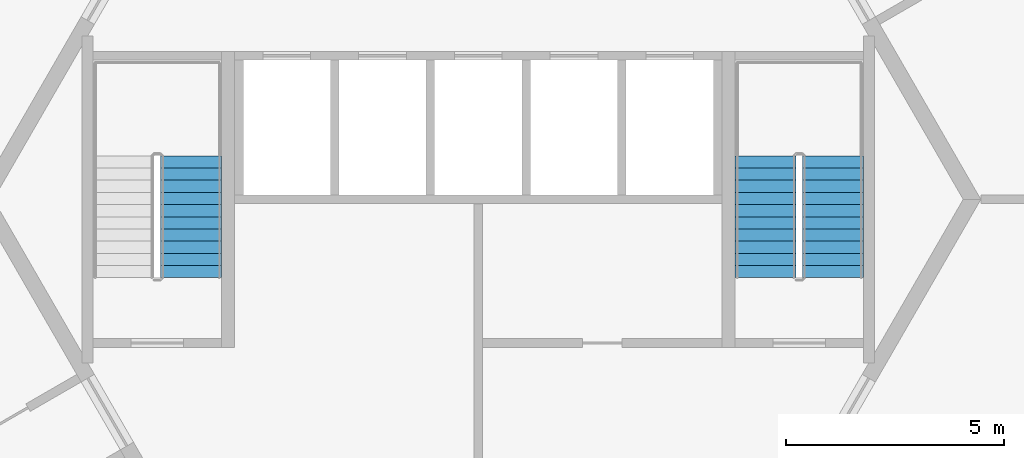
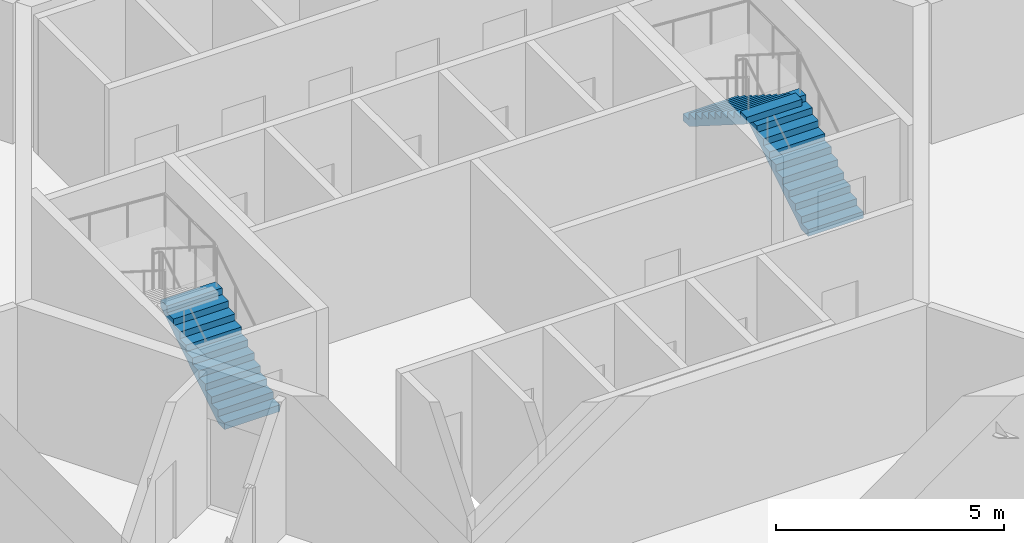
# One storey, part 11 of 12: 3 stair flights, 2 elements without a shape of their own.
"""IFC4 building model written with IfcOpenShell, lengths in metres."""

from ifc_helpers import new_model, si_unit, direction, frame, origin, place, context, subcontext, project, spatial, polyline, outline, extrude, material, type_object, element, aggregate, save


model = new_model("IFC4")

# Units and contexts
model_context = context("Model", 3, precision=1e-05, world=origin(), true_north=direction((0.0, 1.0)))
body_context = subcontext(model_context, "Body", "Model", "MODEL_VIEW")
ifc_project = project(units=[si_unit("LENGTHUNIT", "METRE"), si_unit("AREAUNIT", "SQUARE_METRE"), si_unit("VOLUMEUNIT", "CUBIC_METRE"), si_unit("PLANEANGLEUNIT", "RADIAN"), si_unit("MASSUNIT", "GRAM", prefix="KILO")], contexts=[model_context])

# Site, building, storey
site_placement = place(None, origin())
site = spatial("IfcSite", under=ifc_project, at=site_placement, CompositionType="ELEMENT")
building_placement = place(site_placement, origin())
building = spatial("IfcBuilding", under=site, at=building_placement, Name="Tarnside Tower", CompositionType="ELEMENT")
storey_placement = place(building_placement, frame((0.0, 0.0, 57.0)))
storey = spatial("IfcBuildingStorey", under=building, at=storey_placement, Name="L11", CompositionType="ELEMENT", Elevation=57.0)

# Stair, stair flights
ifc_material = material(Name="Concrete C40/50", Category="concrete")
stair_type = type_object("IfcStairType", Name="Exit stair 1400 clear", PredefinedType="HALF_TURN_STAIR", material=ifc_material)
stair_1_placement = place(storey_placement, origin())
stair_1 = element("IfcStair", 1, at=stair_1_placement, inside=storey, type_object=stair_type, Name="L11 Exit stair 1", PredefinedType="HALF_TURN_STAIR")
stair_flight_type = type_object("IfcStairFlightType", Name="Exit stair flight 1400", PredefinedType="STRAIGHT", material=ifc_material)
stair_flight_1_placement = place(storey_placement, frame((8.14990234375, -1.800048828125, 0.0), z_axis=(0.0, 0.0, 1.0), x_axis=(0.0, 1.0, 0.0)))
stair_flight_1 = element("IfcStairFlight", 2, at=stair_flight_1_placement, type_object=stair_flight_type, Name="ST1 flight 1", NumberOfRisers=11, NumberOfTreads=10, PredefinedType="STRAIGHT", RiserHeight=0.177272727, TreadLength=0.28, context=body_context, shape_type="SweptSolid", body=[
    extrude(outline(polyline([(0.0, 0.0), (0.0, 0.17724609375), (0.280029296875, 0.17724609375), (0.280029296875, 0.3544921875), (0.56005859375, 0.3544921875), (0.56005859375, 0.53173828125), (0.840087890625, 0.53173828125), (0.840087890625, 0.708984375), (1.1201171875, 0.708984375), (1.1201171875, 0.886474609375), (1.39990234375, 0.886474609375), (1.39990234375, 1.063720703125), (1.679931640625, 1.063720703125), (1.679931640625, 1.240966796875), (1.9599609375, 1.240966796875), (1.9599609375, 1.418212890625), (2.239990234375, 1.418212890625), (2.239990234375, 1.595458984375), (2.52001953125, 1.595458984375), (2.52001953125, 1.772705078125), (2.800048828125, 1.772705078125), (2.800048828125, 1.949951171875), (2.800048828125, 1.59521484375), (0.2802734375, 0.0), (0.0, 0.0)])), frame((0.0, 0.699951171875, 0.0), z_axis=(0.0, -1.0, 0.0), x_axis=(1.0, 0.0, 0.0)), (0.0, 0.0, 1.0), 1.39990234375),
])
stair_flight_2_placement = place(storey_placement, frame((6.60009765625, 1.0, 1.949951171875), z_axis=(0.0, 0.0, 1.0), x_axis=(0.0, -1.0, 0.0)))
stair_flight_2 = element("IfcStairFlight", 3, at=stair_flight_2_placement, type_object=stair_flight_type, Name="ST1 flight 2", NumberOfRisers=11, NumberOfTreads=10, PredefinedType="STRAIGHT", RiserHeight=0.177272727, TreadLength=0.28, context=body_context, shape_type="SweptSolid", body=[
    extrude(outline(polyline([(0.0, 0.0), (0.0, 0.17724609375), (0.280029296875, 0.17724609375), (0.280029296875, 0.3544921875), (0.56005859375, 0.3544921875), (0.56005859375, 0.53173828125), (0.840087890625, 0.53173828125), (0.840087890625, 0.708984375), (1.1201171875, 0.708984375), (1.1201171875, 0.886474609375), (1.39990234375, 0.886474609375), (1.39990234375, 1.063720703125), (1.679931640625, 1.063720703125), (1.679931640625, 1.240966796875), (1.9599609375, 1.240966796875), (1.9599609375, 1.418212890625), (2.239990234375, 1.418212890625), (2.239990234375, 1.595458984375), (2.52001953125, 1.595458984375), (2.52001953125, 1.772705078125), (2.800048828125, 1.772705078125), (2.800048828125, 1.949951171875), (2.800048828125, 1.59521484375), (0.2802734375, 0.0), (0.0, 0.0)])), frame((0.0, 0.699951171875, 0.0), z_axis=(0.0, -1.0, 0.0), x_axis=(1.0, 0.0, 0.0)), (0.0, 0.0, 1.0), 1.39990234375),
])
aggregate(stair_1, [stair_flight_1, stair_flight_2])

# Stair, stair flight
stair_2_placement = place(storey_placement, origin())
stair_2 = element("IfcStair", 4, at=stair_2_placement, inside=storey, type_object=stair_type, Name="L11 Exit stair 2", PredefinedType="HALF_TURN_STAIR")
stair_flight_3_placement = place(storey_placement, frame((-6.60009765625, -1.800048828125, 0.0), z_axis=(0.0, 0.0, 1.0), x_axis=(0.0, 1.0, 0.0)))
stair_flight_3 = element("IfcStairFlight", 5, at=stair_flight_3_placement, type_object=stair_flight_type, Name="ST2 flight 1", NumberOfRisers=11, NumberOfTreads=10, PredefinedType="STRAIGHT", RiserHeight=0.177272727, TreadLength=0.28, context=body_context, shape_type="SweptSolid", body=[
    extrude(outline(polyline([(0.0, 0.0), (0.0, 0.17724609375), (0.280029296875, 0.17724609375), (0.280029296875, 0.3544921875), (0.56005859375, 0.3544921875), (0.56005859375, 0.53173828125), (0.840087890625, 0.53173828125), (0.840087890625, 0.708984375), (1.1201171875, 0.708984375), (1.1201171875, 0.886474609375), (1.39990234375, 0.886474609375), (1.39990234375, 1.063720703125), (1.679931640625, 1.063720703125), (1.679931640625, 1.240966796875), (1.9599609375, 1.240966796875), (1.9599609375, 1.418212890625), (2.239990234375, 1.418212890625), (2.239990234375, 1.595458984375), (2.52001953125, 1.595458984375), (2.52001953125, 1.772705078125), (2.800048828125, 1.772705078125), (2.800048828125, 1.949951171875), (2.800048828125, 1.59521484375), (0.2802734375, 0.0), (0.0, 0.0)])), frame((0.0, 0.699951171875, 0.0), z_axis=(0.0, -1.0, 0.0), x_axis=(1.0, 0.0, 0.0)), (0.0, 0.0, 1.0), 1.39990234375),
])
aggregate(stair_2, [stair_flight_3])

save(model, "model.ifc")
